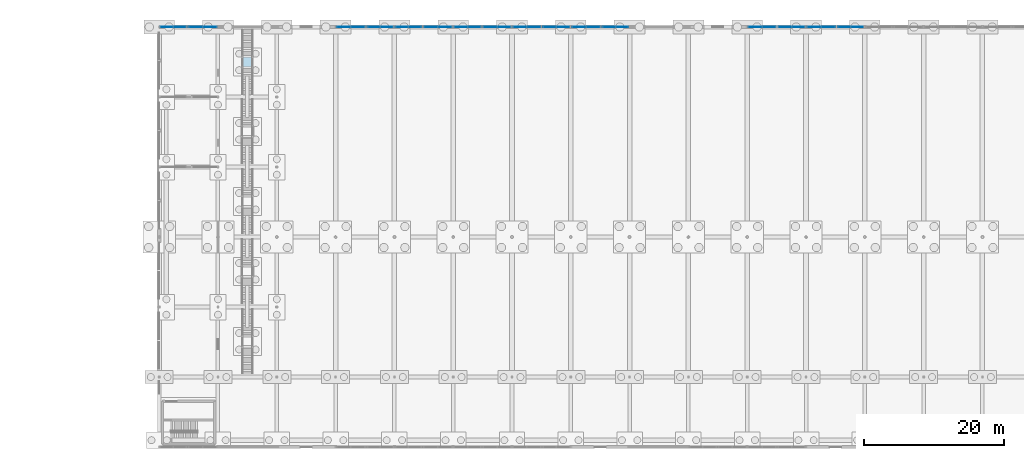
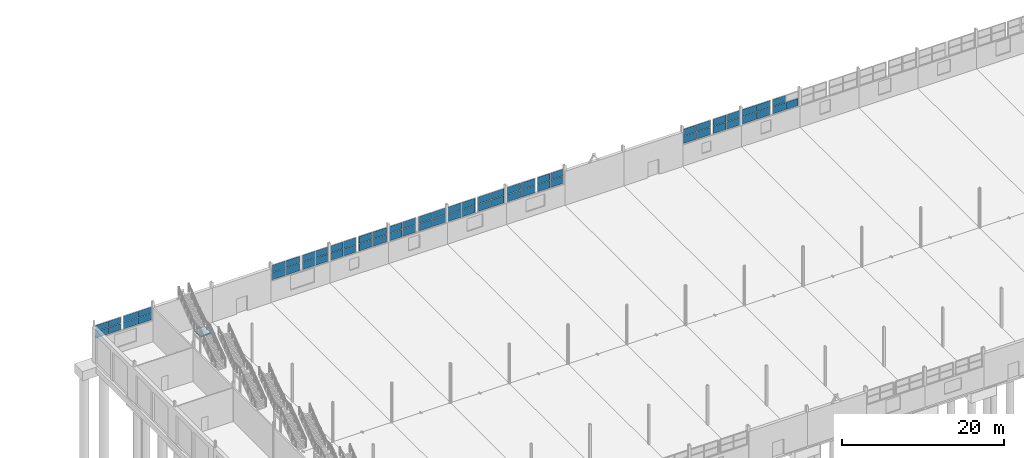
# One storey, part 110 of 139: 63 plates, 1 slab, 17 elements without a shape of their own.
"""IFC4 building model written with IfcOpenShell, lengths in metres."""

from ifc_helpers import new_model, si_unit, direction, frame, origin, origin_2d, place, context, subcontext, project, spatial, polyline, rectangle, outline, extrude, material, layer, layer_set, type_object, element, aggregate, save


model = new_model("IFC4")

# Units and contexts
model_context = context("Model", 3, precision=1e-05, world=origin(), true_north=direction((0.0, 1.0)))
body_context = subcontext(model_context, "Body", "Model", "MODEL_VIEW")
ifc_project = project(units=[si_unit("LENGTHUNIT", "METRE"), si_unit("AREAUNIT", "SQUARE_METRE"), si_unit("VOLUMEUNIT", "CUBIC_METRE"), si_unit("PLANEANGLEUNIT", "RADIAN"), si_unit("MASSUNIT", "GRAM", prefix="KILO")], contexts=[model_context])

# Site, building, storey
site_placement = place(None, origin())
site = spatial("IfcSite", under=ifc_project, at=site_placement, CompositionType="ELEMENT")
building_placement = place(site_placement, origin())
building = spatial("IfcBuilding", under=site, at=building_placement, Name="Kazenagashi Tramway Depot", CompositionType="ELEMENT")
storey_placement = place(building_placement, origin())
storey = spatial("IfcBuildingStorey", under=building, at=storey_placement, Name="L01", CompositionType="ELEMENT", Elevation=0.0)

# Curtain wall, plates
ifc_material_1 = material(Name="Anodised Aluminium and Low-E Glazing", Category="aluminium")
curtain_wall_type_1 = type_object("IfcCurtainWallType", Name="CW-18", PredefinedType="USERDEFINED", material=ifc_material_1)
curtain_wall_1_placement = place(storey_placement, origin())
curtain_wall_1 = element("IfcCurtainWall", 1, at=curtain_wall_1_placement, inside=storey, type_object=curtain_wall_type_1, Name="Industrial Glazed Screen CW-18 CW-0066", ObjectType="GLAZED SCREEN", PredefinedType="USERDEFINED")
ifc_material_2 = material(Name="Tempered Laminated Low-E Glass", Category="glass")
ifc_layer_1 = layer(ifc_material_2, 0.018)
ifc_layer_set_1 = layer_set([ifc_layer_1], Name="Tempered Laminated Low-E Glass")
plate_type_1 = type_object("IfcPlateType", Name="GL-02", PredefinedType="CURTAIN_PANEL", material=ifc_layer_set_1)
plate_1_placement = place(storey_placement, frame((87.9175, 130.0, 3.26), z_axis=(0.0, 0.0, 1.0), x_axis=(1.0, 0.0, 0.0)))
plate_1 = element("IfcPlate", 2, at=plate_1_placement, type_object=plate_type_1, Name="CW-18 panel 1.1", PredefinedType="CURTAIN_PANEL", context=body_context, shape_type="SweptSolid", body=[
    extrude(rectangle(XDim=1.835, YDim=0.018, at=origin_2d()), origin(), (0.0, 0.0, 1.0), 1.102),
])
plate_2_placement = place(storey_placement, frame((87.9175, 130.0, 4.422), z_axis=(0.0, 0.0, 1.0), x_axis=(1.0, 0.0, 0.0)))
plate_2 = element("IfcPlate", 3, at=plate_2_placement, type_object=plate_type_1, Name="CW-18 panel 1.2", PredefinedType="CURTAIN_PANEL", context=body_context, shape_type="SweptSolid", body=[
    extrude(rectangle(XDim=1.835, YDim=0.018, at=origin_2d()), origin(), (0.0, 0.0, 1.0), 1.01),
])
plate_3_placement = place(storey_placement, frame((89.8125, 130.0, 3.26), z_axis=(0.0, 0.0, 1.0), x_axis=(1.0, 0.0, 0.0)))
plate_3 = element("IfcPlate", 4, at=plate_3_placement, type_object=plate_type_1, Name="CW-18 panel 2.1", PredefinedType="CURTAIN_PANEL", context=body_context, shape_type="SweptSolid", body=[
    extrude(rectangle(XDim=1.835, YDim=0.018, at=origin_2d()), origin(), (0.0, 0.0, 1.0), 1.102),
])
plate_4_placement = place(storey_placement, frame((89.8125, 130.0, 4.422), z_axis=(0.0, 0.0, 1.0), x_axis=(1.0, 0.0, 0.0)))
plate_4 = element("IfcPlate", 5, at=plate_4_placement, type_object=plate_type_1, Name="CW-18 panel 2.2", PredefinedType="CURTAIN_PANEL", context=body_context, shape_type="SweptSolid", body=[
    extrude(rectangle(XDim=1.835, YDim=0.018, at=origin_2d()), origin(), (0.0, 0.0, 1.0), 1.01),
])
aggregate(curtain_wall_1, [plate_1, plate_2, plate_3, plate_4])

curtain_wall_type_2 = type_object("IfcCurtainWallType", Name="CW-19", PredefinedType="USERDEFINED", material=ifc_material_1)
curtain_wall_2_placement = place(storey_placement, origin())
curtain_wall_2 = element("IfcCurtainWall", 6, at=curtain_wall_2_placement, inside=storey, type_object=curtain_wall_type_2, Name="Industrial Glazed Screen CW-19 CW-0067", ObjectType="GLAZED SCREEN", PredefinedType="USERDEFINED")
ifc_layer_2 = layer(ifc_material_2, 0.02)
ifc_layer_set_2 = layer_set([ifc_layer_2], Name="Tempered Laminated Low-E Glass")
plate_type_2 = type_object("IfcPlateType", Name="GL-03", PredefinedType="CURTAIN_PANEL", material=ifc_layer_set_2)
plate_5_placement = place(storey_placement, frame((92.0975, 130.0, 3.26), z_axis=(0.0, 0.0, 1.0), x_axis=(1.0, 0.0, 0.0)))
plate_5 = element("IfcPlate", 7, at=plate_5_placement, type_object=plate_type_2, Name="CW-19 panel 1.1", PredefinedType="CURTAIN_PANEL", context=body_context, shape_type="SweptSolid", body=[
    extrude(rectangle(XDim=1.895, YDim=0.02, at=origin_2d()), origin(), (0.0, 0.0, 1.0), 1.102),
])
plate_6_placement = place(storey_placement, frame((92.0975, 130.0, 4.422), z_axis=(0.0, 0.0, 1.0), x_axis=(1.0, 0.0, 0.0)))
plate_6 = element("IfcPlate", 8, at=plate_6_placement, type_object=plate_type_2, Name="CW-19 panel 1.2", PredefinedType="CURTAIN_PANEL", context=body_context, shape_type="SweptSolid", body=[
    extrude(rectangle(XDim=1.895, YDim=0.02, at=origin_2d()), origin(), (0.0, 0.0, 1.0), 1.01),
])
plate_7_placement = place(storey_placement, frame((94.0525, 130.0, 3.26), z_axis=(0.0, 0.0, 1.0), x_axis=(1.0, 0.0, 0.0)))
plate_7 = element("IfcPlate", 9, at=plate_7_placement, type_object=plate_type_2, Name="CW-19 panel 2.1", PredefinedType="CURTAIN_PANEL", context=body_context, shape_type="SweptSolid", body=[
    extrude(rectangle(XDim=1.895, YDim=0.02, at=origin_2d()), origin(), (0.0, 0.0, 1.0), 1.102),
])
plate_8_placement = place(storey_placement, frame((94.0525, 130.0, 4.422), z_axis=(0.0, 0.0, 1.0), x_axis=(1.0, 0.0, 0.0)))
plate_8 = element("IfcPlate", 10, at=plate_8_placement, type_object=plate_type_2, Name="CW-19 panel 2.2", PredefinedType="CURTAIN_PANEL", context=body_context, shape_type="SweptSolid", body=[
    extrude(rectangle(XDim=1.895, YDim=0.02, at=origin_2d()), origin(), (0.0, 0.0, 1.0), 1.01),
])
aggregate(curtain_wall_2, [plate_5, plate_6, plate_7, plate_8])

curtain_wall_3_placement = place(storey_placement, origin())
curtain_wall_3 = element("IfcCurtainWall", 11, at=curtain_wall_3_placement, inside=storey, type_object=curtain_wall_type_2, Name="Industrial Glazed Screen CW-19 CW-0069", ObjectType="GLAZED SCREEN", PredefinedType="USERDEFINED")
ifc_layer_3 = layer(ifc_material_2, 0.024)
ifc_layer_set_3 = layer_set([ifc_layer_3], Name="Tempered Laminated Low-E Glass")
plate_type_3 = type_object("IfcPlateType", Name="GL-05", PredefinedType="CURTAIN_PANEL", material=ifc_layer_set_3)
plate_9_placement = place(storey_placement, frame((96.3475, 130.0, 3.26), z_axis=(0.0, 0.0, 1.0), x_axis=(1.0, 0.0, 0.0)))
plate_9 = element("IfcPlate", 12, at=plate_9_placement, type_object=plate_type_3, Name="CW-19 panel 1.1", PredefinedType="CURTAIN_PANEL", context=body_context, shape_type="SweptSolid", body=[
    extrude(rectangle(XDim=1.895, YDim=0.024, at=origin_2d()), origin(), (0.0, 0.0, 1.0), 1.102),
])
plate_10_placement = place(storey_placement, frame((96.3475, 130.0, 4.422), z_axis=(0.0, 0.0, 1.0), x_axis=(1.0, 0.0, 0.0)))
plate_10 = element("IfcPlate", 13, at=plate_10_placement, type_object=plate_type_3, Name="CW-19 panel 1.2", PredefinedType="CURTAIN_PANEL", context=body_context, shape_type="SweptSolid", body=[
    extrude(rectangle(XDim=1.895, YDim=0.024, at=origin_2d()), origin(), (0.0, 0.0, 1.0), 1.01),
])
plate_11_placement = place(storey_placement, frame((98.3025, 130.0, 3.26), z_axis=(0.0, 0.0, 1.0), x_axis=(1.0, 0.0, 0.0)))
plate_11 = element("IfcPlate", 14, at=plate_11_placement, type_object=plate_type_3, Name="CW-19 panel 2.1", PredefinedType="CURTAIN_PANEL", context=body_context, shape_type="SweptSolid", body=[
    extrude(rectangle(XDim=1.895, YDim=0.024, at=origin_2d()), origin(), (0.0, 0.0, 1.0), 1.102),
])
plate_12_placement = place(storey_placement, frame((98.3025, 130.0, 4.422), z_axis=(0.0, 0.0, 1.0), x_axis=(1.0, 0.0, 0.0)))
plate_12 = element("IfcPlate", 15, at=plate_12_placement, type_object=plate_type_3, Name="CW-19 panel 2.2", PredefinedType="CURTAIN_PANEL", context=body_context, shape_type="SweptSolid", body=[
    extrude(rectangle(XDim=1.895, YDim=0.024, at=origin_2d()), origin(), (0.0, 0.0, 1.0), 1.01),
])
aggregate(curtain_wall_3, [plate_9, plate_10, plate_11, plate_12])

curtain_wall_4_placement = place(storey_placement, origin())
curtain_wall_4 = element("IfcCurtainWall", 16, at=curtain_wall_4_placement, inside=storey, type_object=curtain_wall_type_1, Name="Industrial Glazed Screen CW-18 CW-0070", ObjectType="GLAZED SCREEN", PredefinedType="USERDEFINED")
ifc_layer_4 = layer(ifc_material_2, 0.026)
ifc_layer_set_4 = layer_set([ifc_layer_4], Name="Tempered Laminated Low-E Glass")
plate_type_4 = type_object("IfcPlateType", Name="GL-06", PredefinedType="CURTAIN_PANEL", material=ifc_layer_set_4)
plate_13_placement = place(storey_placement, frame((100.5875, 130.0, 3.26), z_axis=(0.0, 0.0, 1.0), x_axis=(1.0, 0.0, 0.0)))
plate_13 = element("IfcPlate", 17, at=plate_13_placement, type_object=plate_type_4, Name="CW-18 panel 1.1", PredefinedType="CURTAIN_PANEL", context=body_context, shape_type="SweptSolid", body=[
    extrude(rectangle(XDim=1.835, YDim=0.026, at=origin_2d()), origin(), (0.0, 0.0, 1.0), 1.102),
])
plate_14_placement = place(storey_placement, frame((100.5875, 130.0, 4.422), z_axis=(0.0, 0.0, 1.0), x_axis=(1.0, 0.0, 0.0)))
plate_14 = element("IfcPlate", 18, at=plate_14_placement, type_object=plate_type_4, Name="CW-18 panel 1.2", PredefinedType="CURTAIN_PANEL", context=body_context, shape_type="SweptSolid", body=[
    extrude(rectangle(XDim=1.835, YDim=0.026, at=origin_2d()), origin(), (0.0, 0.0, 1.0), 1.01),
])
plate_15_placement = place(storey_placement, frame((102.4825, 130.0, 3.26), z_axis=(0.0, 0.0, 1.0), x_axis=(1.0, 0.0, 0.0)))
plate_15 = element("IfcPlate", 19, at=plate_15_placement, type_object=plate_type_4, Name="CW-18 panel 2.1", PredefinedType="CURTAIN_PANEL", context=body_context, shape_type="SweptSolid", body=[
    extrude(rectangle(XDim=1.835, YDim=0.026, at=origin_2d()), origin(), (0.0, 0.0, 1.0), 1.102),
])
plate_16_placement = place(storey_placement, frame((102.4825, 130.0, 4.422), z_axis=(0.0, 0.0, 1.0), x_axis=(1.0, 0.0, 0.0)))
plate_16 = element("IfcPlate", 20, at=plate_16_placement, type_object=plate_type_4, Name="CW-18 panel 2.2", PredefinedType="CURTAIN_PANEL", context=body_context, shape_type="SweptSolid", body=[
    extrude(rectangle(XDim=1.835, YDim=0.026, at=origin_2d()), origin(), (0.0, 0.0, 1.0), 1.01),
])
aggregate(curtain_wall_4, [plate_13, plate_14, plate_15, plate_16])

curtain_wall_type_3 = type_object("IfcCurtainWallType", Name="CW-09", PredefinedType="USERDEFINED", material=ifc_material_1)
curtain_wall_5_placement = place(storey_placement, origin())
curtain_wall_5 = element("IfcCurtainWall", 21, at=curtain_wall_5_placement, inside=storey, type_object=curtain_wall_type_3, Name="Industrial Glazed Screen CW-09 CW-0056", ObjectType="GLAZED SCREEN", PredefinedType="USERDEFINED")
ifc_layer_5 = layer(ifc_material_2, 0.03)
ifc_layer_set_5 = layer_set([ifc_layer_5], Name="Tempered Laminated Low-E Glass")
plate_type_5 = type_object("IfcPlateType", Name="GL-08", PredefinedType="CURTAIN_PANEL", material=ifc_layer_set_5)
plate_17_placement = place(storey_placement, frame((45.8875, 130.0, 3.26), z_axis=(0.0, 0.0, 1.0), x_axis=(1.0, 0.0, 0.0)))
plate_17 = element("IfcPlate", 22, at=plate_17_placement, type_object=plate_type_5, Name="CW-09 panel 1.1", PredefinedType="CURTAIN_PANEL", context=body_context, shape_type="SweptSolid", body=[
    extrude(rectangle(XDim=1.775, YDim=0.03, at=origin_2d()), origin(), (0.0, 0.0, 1.0), 0.974),
])
plate_18_placement = place(storey_placement, frame((45.8875, 130.0, 4.294), z_axis=(0.0, 0.0, 1.0), x_axis=(1.0, 0.0, 0.0)))
plate_18 = element("IfcPlate", 23, at=plate_18_placement, type_object=plate_type_5, Name="CW-09 panel 1.2", PredefinedType="CURTAIN_PANEL", context=body_context, shape_type="SweptSolid", body=[
    extrude(rectangle(XDim=1.775, YDim=0.03, at=origin_2d()), origin(), (0.0, 0.0, 1.0), 0.893),
])
plate_19_placement = place(storey_placement, frame((47.7225, 130.0, 3.26), z_axis=(0.0, 0.0, 1.0), x_axis=(1.0, 0.0, 0.0)))
plate_19 = element("IfcPlate", 24, at=plate_19_placement, type_object=plate_type_5, Name="CW-09 panel 2.1", PredefinedType="CURTAIN_PANEL", context=body_context, shape_type="SweptSolid", body=[
    extrude(rectangle(XDim=1.775, YDim=0.03, at=origin_2d()), origin(), (0.0, 0.0, 1.0), 0.974),
])
plate_20_placement = place(storey_placement, frame((47.7225, 130.0, 4.294), z_axis=(0.0, 0.0, 1.0), x_axis=(1.0, 0.0, 0.0)))
plate_20 = element("IfcPlate", 25, at=plate_20_placement, type_object=plate_type_5, Name="CW-09 panel 2.2", PredefinedType="CURTAIN_PANEL", context=body_context, shape_type="SweptSolid", body=[
    extrude(rectangle(XDim=1.775, YDim=0.03, at=origin_2d()), origin(), (0.0, 0.0, 1.0), 0.893),
])
aggregate(curtain_wall_5, [plate_17, plate_18, plate_19, plate_20])

curtain_wall_type_4 = type_object("IfcCurtainWallType", Name="CW-16", PredefinedType="USERDEFINED", material=ifc_material_1)
curtain_wall_6_placement = place(storey_placement, origin())
curtain_wall_6 = element("IfcCurtainWall", 26, at=curtain_wall_6_placement, inside=storey, type_object=curtain_wall_type_4, Name="Industrial Glazed Screen CW-16 CW-0072", ObjectType="GLAZED SCREEN", PredefinedType="USERDEFINED")
plate_21_placement = place(storey_placement, frame((104.7775, 130.0, 3.26), z_axis=(0.0, 0.0, 1.0), x_axis=(1.0, 0.0, 0.0)))
plate_21 = element("IfcPlate", 27, at=plate_21_placement, type_object=plate_type_5, Name="CW-16 panel 1.1", PredefinedType="CURTAIN_PANEL", context=body_context, shape_type="SweptSolid", body=[
    extrude(rectangle(XDim=1.955, YDim=0.03, at=origin_2d()), origin(), (0.0, 0.0, 1.0), 1.102),
])
plate_22_placement = place(storey_placement, frame((104.7775, 130.0, 4.422), z_axis=(0.0, 0.0, 1.0), x_axis=(1.0, 0.0, 0.0)))
plate_22 = element("IfcPlate", 28, at=plate_22_placement, type_object=plate_type_5, Name="CW-16 panel 1.2", PredefinedType="CURTAIN_PANEL", context=body_context, shape_type="SweptSolid", body=[
    extrude(rectangle(XDim=1.955, YDim=0.03, at=origin_2d()), origin(), (0.0, 0.0, 1.0), 1.01),
])
plate_23_placement = place(storey_placement, frame((106.7925, 130.0, 3.26), z_axis=(0.0, 0.0, 1.0), x_axis=(1.0, 0.0, 0.0)))
plate_23 = element("IfcPlate", 29, at=plate_23_placement, type_object=plate_type_5, Name="CW-16 panel 2.1", PredefinedType="CURTAIN_PANEL", context=body_context, shape_type="SweptSolid", body=[
    extrude(rectangle(XDim=1.955, YDim=0.03, at=origin_2d()), origin(), (0.0, 0.0, 1.0), 1.102),
])
plate_24_placement = place(storey_placement, frame((106.7925, 130.0, 4.422), z_axis=(0.0, 0.0, 1.0), x_axis=(1.0, 0.0, 0.0)))
plate_24 = element("IfcPlate", 30, at=plate_24_placement, type_object=plate_type_5, Name="CW-16 panel 2.2", PredefinedType="CURTAIN_PANEL", context=body_context, shape_type="SweptSolid", body=[
    extrude(rectangle(XDim=1.955, YDim=0.03, at=origin_2d()), origin(), (0.0, 0.0, 1.0), 1.01),
])
aggregate(curtain_wall_6, [plate_21, plate_22, plate_23, plate_24])

curtain_wall_type_5 = type_object("IfcCurtainWallType", Name="CW-10", PredefinedType="USERDEFINED", material=ifc_material_1)
curtain_wall_7_placement = place(storey_placement, origin())
curtain_wall_7 = element("IfcCurtainWall", 31, at=curtain_wall_7_placement, inside=storey, type_object=curtain_wall_type_5, Name="Industrial Glazed Screen CW-10 CW-0057", ObjectType="GLAZED SCREEN", PredefinedType="USERDEFINED")
ifc_layer_6 = layer(ifc_material_2, 0.032)
ifc_layer_set_6 = layer_set([ifc_layer_6], Name="Tempered Laminated Low-E Glass")
plate_type_6 = type_object("IfcPlateType", Name="GL-09", PredefinedType="CURTAIN_PANEL", material=ifc_layer_set_6)
plate_25_placement = place(storey_placement, frame((50.0075, 130.0, 3.26), z_axis=(0.0, 0.0, 1.0), x_axis=(1.0, 0.0, 0.0)))
plate_25 = element("IfcPlate", 32, at=plate_25_placement, type_object=plate_type_6, Name="CW-10 panel 1.1", PredefinedType="CURTAIN_PANEL", context=body_context, shape_type="SweptSolid", body=[
    extrude(rectangle(XDim=1.955, YDim=0.032, at=origin_2d()), origin(), (0.0, 0.0, 1.0), 0.974),
])
plate_26_placement = place(storey_placement, frame((50.0075, 130.0, 4.294), z_axis=(0.0, 0.0, 1.0), x_axis=(1.0, 0.0, 0.0)))
plate_26 = element("IfcPlate", 33, at=plate_26_placement, type_object=plate_type_6, Name="CW-10 panel 1.2", PredefinedType="CURTAIN_PANEL", context=body_context, shape_type="SweptSolid", body=[
    extrude(rectangle(XDim=1.955, YDim=0.032, at=origin_2d()), origin(), (0.0, 0.0, 1.0), 0.893),
])
plate_27_placement = place(storey_placement, frame((52.0225, 130.0, 3.26), z_axis=(0.0, 0.0, 1.0), x_axis=(1.0, 0.0, 0.0)))
plate_27 = element("IfcPlate", 34, at=plate_27_placement, type_object=plate_type_6, Name="CW-10 panel 2.1", PredefinedType="CURTAIN_PANEL", context=body_context, shape_type="SweptSolid", body=[
    extrude(rectangle(XDim=1.955, YDim=0.032, at=origin_2d()), origin(), (0.0, 0.0, 1.0), 0.974),
])
plate_28_placement = place(storey_placement, frame((52.0225, 130.0, 4.294), z_axis=(0.0, 0.0, 1.0), x_axis=(1.0, 0.0, 0.0)))
plate_28 = element("IfcPlate", 35, at=plate_28_placement, type_object=plate_type_6, Name="CW-10 panel 2.2", PredefinedType="CURTAIN_PANEL", context=body_context, shape_type="SweptSolid", body=[
    extrude(rectangle(XDim=1.955, YDim=0.032, at=origin_2d()), origin(), (0.0, 0.0, 1.0), 0.893),
])
aggregate(curtain_wall_7, [plate_25, plate_26, plate_27, plate_28])

curtain_wall_type_6 = type_object("IfcCurtainWallType", Name="CW-17", PredefinedType="USERDEFINED", material=ifc_material_1)
curtain_wall_8_placement = place(storey_placement, origin())
curtain_wall_8 = element("IfcCurtainWall", 36, at=curtain_wall_8_placement, inside=storey, type_object=curtain_wall_type_6, Name="Industrial Glazed Screen CW-17 CW-0073", ObjectType="GLAZED SCREEN", PredefinedType="USERDEFINED")
plate_29_placement = place(storey_placement, frame((109.0775, 130.0, 3.26), z_axis=(0.0, 0.0, 1.0), x_axis=(1.0, 0.0, 0.0)))
plate_29 = element("IfcPlate", 37, at=plate_29_placement, type_object=plate_type_6, Name="CW-17 panel 1.1", PredefinedType="CURTAIN_PANEL", context=body_context, shape_type="SweptSolid", body=[
    extrude(rectangle(XDim=1.775, YDim=0.032, at=origin_2d()), origin(), (0.0, 0.0, 1.0), 1.102),
])
plate_30_placement = place(storey_placement, frame((109.0775, 130.0, 4.422), z_axis=(0.0, 0.0, 1.0), x_axis=(1.0, 0.0, 0.0)))
plate_30 = element("IfcPlate", 38, at=plate_30_placement, type_object=plate_type_6, Name="CW-17 panel 1.2", PredefinedType="CURTAIN_PANEL", context=body_context, shape_type="SweptSolid", body=[
    extrude(rectangle(XDim=1.775, YDim=0.032, at=origin_2d()), origin(), (0.0, 0.0, 1.0), 1.01),
])
plate_31_placement = place(storey_placement, frame((110.9125, 130.0, 3.26), z_axis=(0.0, 0.0, 1.0), x_axis=(1.0, 0.0, 0.0)))
plate_31 = element("IfcPlate", 39, at=plate_31_placement, type_object=plate_type_6, Name="CW-17 panel 2.1", PredefinedType="CURTAIN_PANEL", context=body_context, shape_type="SweptSolid", body=[
    extrude(rectangle(XDim=1.775, YDim=0.032, at=origin_2d()), origin(), (0.0, 0.0, 1.0), 1.102),
])
plate_32_placement = place(storey_placement, frame((110.9125, 130.0, 4.422), z_axis=(0.0, 0.0, 1.0), x_axis=(1.0, 0.0, 0.0)))
plate_32 = element("IfcPlate", 40, at=plate_32_placement, type_object=plate_type_6, Name="CW-17 panel 2.2", PredefinedType="CURTAIN_PANEL", context=body_context, shape_type="SweptSolid", body=[
    extrude(rectangle(XDim=1.775, YDim=0.032, at=origin_2d()), origin(), (0.0, 0.0, 1.0), 1.01),
])
aggregate(curtain_wall_8, [plate_29, plate_30, plate_31, plate_32])

curtain_wall_9_placement = place(storey_placement, origin())
curtain_wall_9 = element("IfcCurtainWall", 41, at=curtain_wall_9_placement, inside=storey, type_object=curtain_wall_type_4, Name="Industrial Glazed Screen CW-16 CW-0060", ObjectType="GLAZED SCREEN", PredefinedType="USERDEFINED")
ifc_layer_7 = layer(ifc_material_2, 0.038)
ifc_layer_set_7 = layer_set([ifc_layer_7], Name="Tempered Laminated Low-E Glass")
plate_type_7 = type_object("IfcPlateType", Name="GL-12", PredefinedType="CURTAIN_PANEL", material=ifc_layer_set_7)
plate_33_placement = place(storey_placement, frame((71.1775, 130.0, 3.26), z_axis=(0.0, 0.0, 1.0), x_axis=(1.0, 0.0, 0.0)))
plate_33 = element("IfcPlate", 42, at=plate_33_placement, type_object=plate_type_7, Name="CW-16 panel 1.1", PredefinedType="CURTAIN_PANEL", context=body_context, shape_type="SweptSolid", body=[
    extrude(rectangle(XDim=1.955, YDim=0.038, at=origin_2d()), origin(), (0.0, 0.0, 1.0), 1.102),
])
plate_34_placement = place(storey_placement, frame((71.1775, 130.0, 4.422), z_axis=(0.0, 0.0, 1.0), x_axis=(1.0, 0.0, 0.0)))
plate_34 = element("IfcPlate", 43, at=plate_34_placement, type_object=plate_type_7, Name="CW-16 panel 1.2", PredefinedType="CURTAIN_PANEL", context=body_context, shape_type="SweptSolid", body=[
    extrude(rectangle(XDim=1.955, YDim=0.038, at=origin_2d()), origin(), (0.0, 0.0, 1.0), 1.01),
])
plate_35_placement = place(storey_placement, frame((73.1925, 130.0, 3.26), z_axis=(0.0, 0.0, 1.0), x_axis=(1.0, 0.0, 0.0)))
plate_35 = element("IfcPlate", 44, at=plate_35_placement, type_object=plate_type_7, Name="CW-16 panel 2.1", PredefinedType="CURTAIN_PANEL", context=body_context, shape_type="SweptSolid", body=[
    extrude(rectangle(XDim=1.955, YDim=0.038, at=origin_2d()), origin(), (0.0, 0.0, 1.0), 1.102),
])
plate_36_placement = place(storey_placement, frame((73.1925, 130.0, 4.422), z_axis=(0.0, 0.0, 1.0), x_axis=(1.0, 0.0, 0.0)))
plate_36 = element("IfcPlate", 45, at=plate_36_placement, type_object=plate_type_7, Name="CW-16 panel 2.2", PredefinedType="CURTAIN_PANEL", context=body_context, shape_type="SweptSolid", body=[
    extrude(rectangle(XDim=1.955, YDim=0.038, at=origin_2d()), origin(), (0.0, 0.0, 1.0), 1.01),
])
aggregate(curtain_wall_9, [plate_33, plate_34, plate_35, plate_36])

curtain_wall_10_placement = place(storey_placement, origin())
curtain_wall_10 = element("IfcCurtainWall", 46, at=curtain_wall_10_placement, inside=storey, type_object=curtain_wall_type_2, Name="Industrial Glazed Screen CW-19 CW-0076", ObjectType="GLAZED SCREEN", PredefinedType="USERDEFINED")
plate_37_placement = place(storey_placement, frame((129.9475, 130.0, 3.26), z_axis=(0.0, 0.0, 1.0), x_axis=(1.0, 0.0, 0.0)))
plate_37 = element("IfcPlate", 47, at=plate_37_placement, type_object=plate_type_7, Name="CW-19 panel 1.1", PredefinedType="CURTAIN_PANEL", context=body_context, shape_type="SweptSolid", body=[
    extrude(rectangle(XDim=1.895, YDim=0.038, at=origin_2d()), origin(), (0.0, 0.0, 1.0), 1.102),
])
plate_38_placement = place(storey_placement, frame((129.9475, 130.0, 4.422), z_axis=(0.0, 0.0, 1.0), x_axis=(1.0, 0.0, 0.0)))
plate_38 = element("IfcPlate", 48, at=plate_38_placement, type_object=plate_type_7, Name="CW-19 panel 1.2", PredefinedType="CURTAIN_PANEL", context=body_context, shape_type="SweptSolid", body=[
    extrude(rectangle(XDim=1.895, YDim=0.038, at=origin_2d()), origin(), (0.0, 0.0, 1.0), 1.01),
])
plate_39_placement = place(storey_placement, frame((131.9025, 130.0, 3.26), z_axis=(0.0, 0.0, 1.0), x_axis=(1.0, 0.0, 0.0)))
plate_39 = element("IfcPlate", 49, at=plate_39_placement, type_object=plate_type_7, Name="CW-19 panel 2.1", PredefinedType="CURTAIN_PANEL", context=body_context, shape_type="SweptSolid", body=[
    extrude(rectangle(XDim=1.895, YDim=0.038, at=origin_2d()), origin(), (0.0, 0.0, 1.0), 1.102),
])
plate_40_placement = place(storey_placement, frame((131.9025, 130.0, 4.422), z_axis=(0.0, 0.0, 1.0), x_axis=(1.0, 0.0, 0.0)))
plate_40 = element("IfcPlate", 50, at=plate_40_placement, type_object=plate_type_7, Name="CW-19 panel 2.2", PredefinedType="CURTAIN_PANEL", context=body_context, shape_type="SweptSolid", body=[
    extrude(rectangle(XDim=1.895, YDim=0.038, at=origin_2d()), origin(), (0.0, 0.0, 1.0), 1.01),
])
aggregate(curtain_wall_10, [plate_37, plate_38, plate_39, plate_40])

curtain_wall_11_placement = place(storey_placement, origin())
curtain_wall_11 = element("IfcCurtainWall", 51, at=curtain_wall_11_placement, inside=storey, type_object=curtain_wall_type_6, Name="Industrial Glazed Screen CW-17 CW-0061", ObjectType="GLAZED SCREEN", PredefinedType="USERDEFINED")
ifc_layer_8 = layer(ifc_material_2, 0.04)
ifc_layer_set_8 = layer_set([ifc_layer_8], Name="Tempered Laminated Low-E Glass")
plate_type_8 = type_object("IfcPlateType", Name="GL-13", PredefinedType="CURTAIN_PANEL", material=ifc_layer_set_8)
plate_41_placement = place(storey_placement, frame((75.4775, 130.0, 3.26), z_axis=(0.0, 0.0, 1.0), x_axis=(1.0, 0.0, 0.0)))
plate_41 = element("IfcPlate", 52, at=plate_41_placement, type_object=plate_type_8, Name="CW-17 panel 1.1", PredefinedType="CURTAIN_PANEL", context=body_context, shape_type="SweptSolid", body=[
    extrude(rectangle(XDim=1.775, YDim=0.04, at=origin_2d()), origin(), (0.0, 0.0, 1.0), 1.102),
])
plate_42_placement = place(storey_placement, frame((75.4775, 130.0, 4.422), z_axis=(0.0, 0.0, 1.0), x_axis=(1.0, 0.0, 0.0)))
plate_42 = element("IfcPlate", 53, at=plate_42_placement, type_object=plate_type_8, Name="CW-17 panel 1.2", PredefinedType="CURTAIN_PANEL", context=body_context, shape_type="SweptSolid", body=[
    extrude(rectangle(XDim=1.775, YDim=0.04, at=origin_2d()), origin(), (0.0, 0.0, 1.0), 1.01),
])
plate_43_placement = place(storey_placement, frame((77.3125, 130.0, 3.26), z_axis=(0.0, 0.0, 1.0), x_axis=(1.0, 0.0, 0.0)))
plate_43 = element("IfcPlate", 54, at=plate_43_placement, type_object=plate_type_8, Name="CW-17 panel 2.1", PredefinedType="CURTAIN_PANEL", context=body_context, shape_type="SweptSolid", body=[
    extrude(rectangle(XDim=1.775, YDim=0.04, at=origin_2d()), origin(), (0.0, 0.0, 1.0), 1.102),
])
plate_44_placement = place(storey_placement, frame((77.3125, 130.0, 4.422), z_axis=(0.0, 0.0, 1.0), x_axis=(1.0, 0.0, 0.0)))
plate_44 = element("IfcPlate", 55, at=plate_44_placement, type_object=plate_type_8, Name="CW-17 panel 2.2", PredefinedType="CURTAIN_PANEL", context=body_context, shape_type="SweptSolid", body=[
    extrude(rectangle(XDim=1.775, YDim=0.04, at=origin_2d()), origin(), (0.0, 0.0, 1.0), 1.01),
])
aggregate(curtain_wall_11, [plate_41, plate_42, plate_43, plate_44])

curtain_wall_12_placement = place(storey_placement, origin())
curtain_wall_12 = element("IfcCurtainWall", 56, at=curtain_wall_12_placement, inside=storey, type_object=curtain_wall_type_1, Name="Industrial Glazed Screen CW-18 CW-0077", ObjectType="GLAZED SCREEN", PredefinedType="USERDEFINED")
plate_45_placement = place(storey_placement, frame((134.1875, 130.0, 3.26), z_axis=(0.0, 0.0, 1.0), x_axis=(1.0, 0.0, 0.0)))
plate_45 = element("IfcPlate", 57, at=plate_45_placement, type_object=plate_type_8, Name="CW-18 panel 1.1", PredefinedType="CURTAIN_PANEL", context=body_context, shape_type="SweptSolid", body=[
    extrude(rectangle(XDim=1.835, YDim=0.04, at=origin_2d()), origin(), (0.0, 0.0, 1.0), 1.102),
])
plate_46_placement = place(storey_placement, frame((134.1875, 130.0, 4.422), z_axis=(0.0, 0.0, 1.0), x_axis=(1.0, 0.0, 0.0)))
plate_46 = element("IfcPlate", 58, at=plate_46_placement, type_object=plate_type_8, Name="CW-18 panel 1.2", PredefinedType="CURTAIN_PANEL", context=body_context, shape_type="SweptSolid", body=[
    extrude(rectangle(XDim=1.835, YDim=0.04, at=origin_2d()), origin(), (0.0, 0.0, 1.0), 1.01),
])
plate_47_placement = place(storey_placement, frame((136.0825, 130.0, 3.26), z_axis=(0.0, 0.0, 1.0), x_axis=(1.0, 0.0, 0.0)))
plate_47 = element("IfcPlate", 59, at=plate_47_placement, type_object=plate_type_8, Name="CW-18 panel 2.1", PredefinedType="CURTAIN_PANEL", context=body_context, shape_type="SweptSolid", body=[
    extrude(rectangle(XDim=1.835, YDim=0.04, at=origin_2d()), origin(), (0.0, 0.0, 1.0), 1.102),
])
plate_48_placement = place(storey_placement, frame((136.0825, 130.0, 4.422), z_axis=(0.0, 0.0, 1.0), x_axis=(1.0, 0.0, 0.0)))
plate_48 = element("IfcPlate", 60, at=plate_48_placement, type_object=plate_type_8, Name="CW-18 panel 2.2", PredefinedType="CURTAIN_PANEL", context=body_context, shape_type="SweptSolid", body=[
    extrude(rectangle(XDim=1.835, YDim=0.04, at=origin_2d()), origin(), (0.0, 0.0, 1.0), 1.01),
])
aggregate(curtain_wall_12, [plate_45, plate_46, plate_47, plate_48])

curtain_wall_13_placement = place(storey_placement, origin())
curtain_wall_13 = element("IfcCurtainWall", 61, at=curtain_wall_13_placement, inside=storey, type_object=curtain_wall_type_6, Name="Industrial Glazed Screen CW-17 CW-0063", ObjectType="GLAZED SCREEN", PredefinedType="USERDEFINED")
ifc_layer_9 = layer(ifc_material_2, 0.044)
ifc_layer_set_9 = layer_set([ifc_layer_9], Name="Tempered Laminated Low-E Glass")
plate_type_9 = type_object("IfcPlateType", Name="GL-15", PredefinedType="CURTAIN_PANEL", material=ifc_layer_set_9)
plate_49_placement = place(storey_placement, frame((79.4875, 130.0, 3.26), z_axis=(0.0, 0.0, 1.0), x_axis=(1.0, 0.0, 0.0)))
plate_49 = element("IfcPlate", 62, at=plate_49_placement, type_object=plate_type_9, Name="CW-17 panel 1.1", PredefinedType="CURTAIN_PANEL", context=body_context, shape_type="SweptSolid", body=[
    extrude(rectangle(XDim=1.775, YDim=0.044, at=origin_2d()), origin(), (0.0, 0.0, 1.0), 1.102),
])
plate_50_placement = place(storey_placement, frame((79.4875, 130.0, 4.422), z_axis=(0.0, 0.0, 1.0), x_axis=(1.0, 0.0, 0.0)))
plate_50 = element("IfcPlate", 63, at=plate_50_placement, type_object=plate_type_9, Name="CW-17 panel 1.2", PredefinedType="CURTAIN_PANEL", context=body_context, shape_type="SweptSolid", body=[
    extrude(rectangle(XDim=1.775, YDim=0.044, at=origin_2d()), origin(), (0.0, 0.0, 1.0), 1.01),
])
plate_51_placement = place(storey_placement, frame((81.3225, 130.0, 3.26), z_axis=(0.0, 0.0, 1.0), x_axis=(1.0, 0.0, 0.0)))
plate_51 = element("IfcPlate", 64, at=plate_51_placement, type_object=plate_type_9, Name="CW-17 panel 2.1", PredefinedType="CURTAIN_PANEL", context=body_context, shape_type="SweptSolid", body=[
    extrude(rectangle(XDim=1.775, YDim=0.044, at=origin_2d()), origin(), (0.0, 0.0, 1.0), 1.102),
])
plate_52_placement = place(storey_placement, frame((81.3225, 130.0, 4.422), z_axis=(0.0, 0.0, 1.0), x_axis=(1.0, 0.0, 0.0)))
plate_52 = element("IfcPlate", 65, at=plate_52_placement, type_object=plate_type_9, Name="CW-17 panel 2.2", PredefinedType="CURTAIN_PANEL", context=body_context, shape_type="SweptSolid", body=[
    extrude(rectangle(XDim=1.775, YDim=0.044, at=origin_2d()), origin(), (0.0, 0.0, 1.0), 1.01),
])
aggregate(curtain_wall_13, [plate_49, plate_50, plate_51, plate_52])

curtain_wall_14_placement = place(storey_placement, origin())
curtain_wall_14 = element("IfcCurtainWall", 66, at=curtain_wall_14_placement, inside=storey, type_object=curtain_wall_type_4, Name="Industrial Glazed Screen CW-16 CW-0079", ObjectType="GLAZED SCREEN", PredefinedType="USERDEFINED")
plate_53_placement = place(storey_placement, frame((138.3775, 130.0, 3.26), z_axis=(0.0, 0.0, 1.0), x_axis=(1.0, 0.0, 0.0)))
plate_53 = element("IfcPlate", 67, at=plate_53_placement, type_object=plate_type_9, Name="CW-16 panel 1.1", PredefinedType="CURTAIN_PANEL", context=body_context, shape_type="SweptSolid", body=[
    extrude(rectangle(XDim=1.955, YDim=0.044, at=origin_2d()), origin(), (0.0, 0.0, 1.0), 1.102),
])
plate_54_placement = place(storey_placement, frame((138.3775, 130.0, 4.422), z_axis=(0.0, 0.0, 1.0), x_axis=(1.0, 0.0, 0.0)))
plate_54 = element("IfcPlate", 68, at=plate_54_placement, type_object=plate_type_9, Name="CW-16 panel 1.2", PredefinedType="CURTAIN_PANEL", context=body_context, shape_type="SweptSolid", body=[
    extrude(rectangle(XDim=1.955, YDim=0.044, at=origin_2d()), origin(), (0.0, 0.0, 1.0), 1.01),
])
plate_55_placement = place(storey_placement, frame((140.3925, 130.0, 3.26), z_axis=(0.0, 0.0, 1.0), x_axis=(1.0, 0.0, 0.0)))
plate_55 = element("IfcPlate", 69, at=plate_55_placement, type_object=plate_type_9, Name="CW-16 panel 2.1", PredefinedType="CURTAIN_PANEL", context=body_context, shape_type="SweptSolid", body=[
    extrude(rectangle(XDim=1.955, YDim=0.044, at=origin_2d()), origin(), (0.0, 0.0, 1.0), 1.102),
])
plate_56_placement = place(storey_placement, frame((140.3925, 130.0, 4.422), z_axis=(0.0, 0.0, 1.0), x_axis=(1.0, 0.0, 0.0)))
plate_56 = element("IfcPlate", 70, at=plate_56_placement, type_object=plate_type_9, Name="CW-16 panel 2.2", PredefinedType="CURTAIN_PANEL", context=body_context, shape_type="SweptSolid", body=[
    extrude(rectangle(XDim=1.955, YDim=0.044, at=origin_2d()), origin(), (0.0, 0.0, 1.0), 1.01),
])
aggregate(curtain_wall_14, [plate_53, plate_54, plate_55, plate_56])

curtain_wall_15_placement = place(storey_placement, origin())
curtain_wall_15 = element("IfcCurtainWall", 71, at=curtain_wall_15_placement, inside=storey, type_object=curtain_wall_type_4, Name="Industrial Glazed Screen CW-16 CW-0064", ObjectType="GLAZED SCREEN", PredefinedType="USERDEFINED")
ifc_layer_10 = layer(ifc_material_2, 0.046)
ifc_layer_set_10 = layer_set([ifc_layer_10], Name="Tempered Laminated Low-E Glass")
plate_type_10 = type_object("IfcPlateType", Name="GL-16", PredefinedType="CURTAIN_PANEL", material=ifc_layer_set_10)
plate_57_placement = place(storey_placement, frame((83.6075, 130.0, 3.26), z_axis=(0.0, 0.0, 1.0), x_axis=(1.0, 0.0, 0.0)))
plate_57 = element("IfcPlate", 72, at=plate_57_placement, type_object=plate_type_10, Name="CW-16 panel 1.1", PredefinedType="CURTAIN_PANEL", context=body_context, shape_type="SweptSolid", body=[
    extrude(rectangle(XDim=1.955, YDim=0.046, at=origin_2d()), origin(), (0.0, 0.0, 1.0), 1.102),
])
plate_58_placement = place(storey_placement, frame((83.6075, 130.0, 4.422), z_axis=(0.0, 0.0, 1.0), x_axis=(1.0, 0.0, 0.0)))
plate_58 = element("IfcPlate", 73, at=plate_58_placement, type_object=plate_type_10, Name="CW-16 panel 1.2", PredefinedType="CURTAIN_PANEL", context=body_context, shape_type="SweptSolid", body=[
    extrude(rectangle(XDim=1.955, YDim=0.046, at=origin_2d()), origin(), (0.0, 0.0, 1.0), 1.01),
])
plate_59_placement = place(storey_placement, frame((85.6225, 130.0, 3.26), z_axis=(0.0, 0.0, 1.0), x_axis=(1.0, 0.0, 0.0)))
plate_59 = element("IfcPlate", 74, at=plate_59_placement, type_object=plate_type_10, Name="CW-16 panel 2.1", PredefinedType="CURTAIN_PANEL", context=body_context, shape_type="SweptSolid", body=[
    extrude(rectangle(XDim=1.955, YDim=0.046, at=origin_2d()), origin(), (0.0, 0.0, 1.0), 1.102),
])
plate_60_placement = place(storey_placement, frame((85.6225, 130.0, 4.422), z_axis=(0.0, 0.0, 1.0), x_axis=(1.0, 0.0, 0.0)))
plate_60 = element("IfcPlate", 75, at=plate_60_placement, type_object=plate_type_10, Name="CW-16 panel 2.2", PredefinedType="CURTAIN_PANEL", context=body_context, shape_type="SweptSolid", body=[
    extrude(rectangle(XDim=1.955, YDim=0.046, at=origin_2d()), origin(), (0.0, 0.0, 1.0), 1.01),
])
aggregate(curtain_wall_15, [plate_57, plate_58, plate_59, plate_60])

curtain_wall_16_placement = place(storey_placement, origin())
curtain_wall_16 = element("IfcCurtainWall", 76, at=curtain_wall_16_placement, inside=storey, type_object=curtain_wall_type_6, Name="Industrial Glazed Screen CW-17 CW-0080", ObjectType="GLAZED SCREEN", PredefinedType="USERDEFINED")
plate_61_placement = place(storey_placement, frame((142.6775, 130.0, 3.26), z_axis=(0.0, 0.0, 1.0), x_axis=(1.0, 0.0, 0.0)))
plate_61 = element("IfcPlate", 77, at=plate_61_placement, type_object=plate_type_10, Name="CW-17 panel 1.1", PredefinedType="CURTAIN_PANEL", context=body_context, shape_type="SweptSolid", body=[
    extrude(rectangle(XDim=1.775, YDim=0.046, at=origin_2d()), origin(), (0.0, 0.0, 1.0), 1.102),
])
plate_62_placement = place(storey_placement, frame((142.6775, 130.0, 4.422), z_axis=(0.0, 0.0, 1.0), x_axis=(1.0, 0.0, 0.0)))
plate_62 = element("IfcPlate", 78, at=plate_62_placement, type_object=plate_type_10, Name="CW-17 panel 1.2", PredefinedType="CURTAIN_PANEL", context=body_context, shape_type="SweptSolid", body=[
    extrude(rectangle(XDim=1.775, YDim=0.046, at=origin_2d()), origin(), (0.0, 0.0, 1.0), 1.01),
])
plate_63_placement = place(storey_placement, frame((144.5125, 130.0, 3.26), z_axis=(0.0, 0.0, 1.0), x_axis=(1.0, 0.0, 0.0)))
plate_63 = element("IfcPlate", 79, at=plate_63_placement, type_object=plate_type_10, Name="CW-17 panel 2.1", PredefinedType="CURTAIN_PANEL", context=body_context, shape_type="SweptSolid", body=[
    extrude(rectangle(XDim=1.775, YDim=0.046, at=origin_2d()), origin(), (0.0, 0.0, 1.0), 1.102),
])
aggregate(curtain_wall_16, [plate_61, plate_62, plate_63])

# Stair, slab
ifc_material_3 = material(Name="Concrete Fc36", Category="concrete")
stair_type = type_object("IfcStairType", Name="ST-S1", PredefinedType="STRAIGHT_RUN_STAIR", material=ifc_material_3)
stair_placement = place(storey_placement, origin())
stair = element("IfcStair", 80, at=stair_placement, inside=storey, type_object=stair_type, Name="Straight Run Stair ST-33", PredefinedType="STRAIGHT_RUN_STAIR")
ifc_layer_11 = layer(ifc_material_3, 0.195)
ifc_layer_set_11 = layer_set([ifc_layer_11], Name="Concrete Fc36")
slab_type = type_object("IfcSlabType", Name="SL-LD1", PredefinedType="LANDING", material=ifc_layer_set_11)
slab_placement = place(storey_placement, frame((0.0, 0.0, 2.805)))
slab = element("IfcSlab", 81, at=slab_placement, type_object=slab_type, Name="ST-33 landing 1", PredefinedType="LANDING", context=body_context, shape_type="SweptSolid", body=[
    extrude(outline(polyline([(56.65, 124.18), (58.15, 124.18), (58.15, 125.83), (56.65, 125.83), (56.65, 124.18)])), origin(), (0.0, 0.0, 1.0), 0.195),
])
aggregate(stair, [slab])

save(model, "model.ifc")
